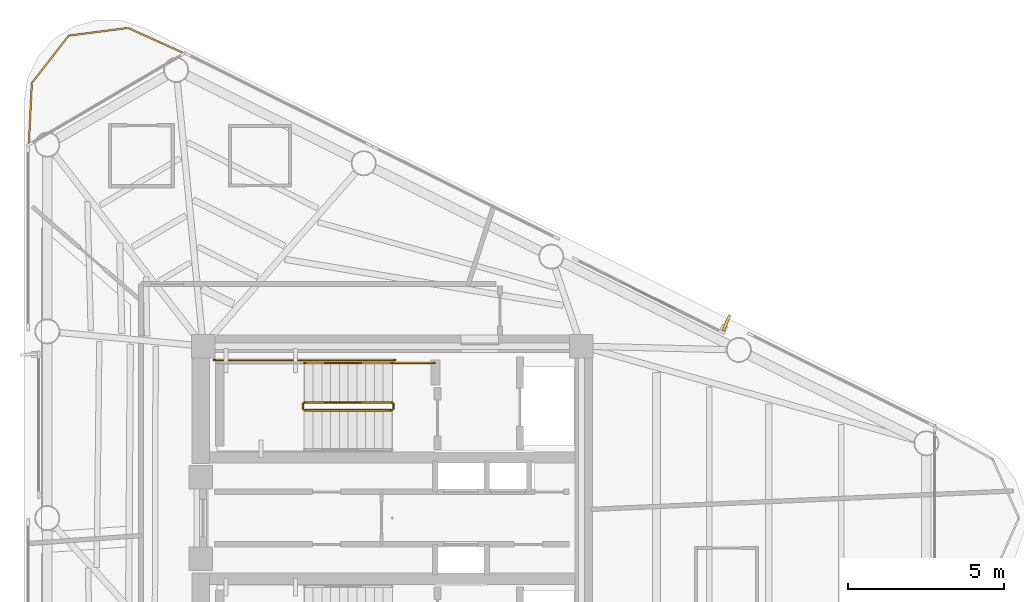
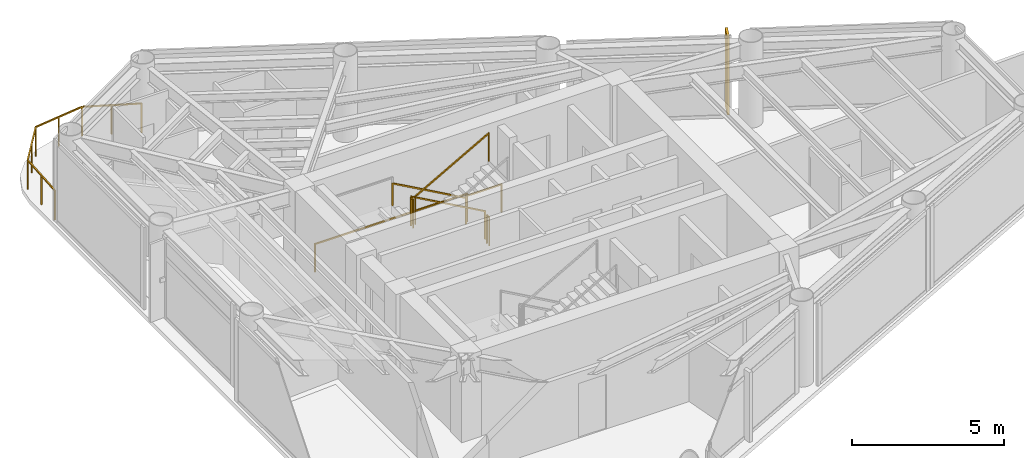
# One storey, part 10 of 10: 8 railings, 1 shading device.
"""IFC4 building model written with IfcOpenShell, lengths in metres."""

from ifc_helpers import new_model, si_unit, direction, frame, origin, origin_2d, place, context, subcontext, project, spatial, rectangle, extrude, source, transform, mapped, material, material_profile, profile_set, type_object, element, save


model = new_model("IFC4")

# Units and contexts
model_context = context("Model", 3, precision=1e-05, world=origin(), true_north=direction((0.0, 1.0)))
body_context = subcontext(model_context, "Body", "Model", "MODEL_VIEW")
ifc_project = project(units=[si_unit("LENGTHUNIT", "METRE"), si_unit("AREAUNIT", "SQUARE_METRE"), si_unit("VOLUMEUNIT", "CUBIC_METRE"), si_unit("PLANEANGLEUNIT", "RADIAN"), si_unit("MASSUNIT", "GRAM", prefix="KILO")], contexts=[model_context])

# Site, building, storey
site_placement = place(None, origin())
site = spatial("IfcSite", under=ifc_project, at=site_placement, CompositionType="ELEMENT")
building_placement = place(site_placement, origin())
building = spatial("IfcBuilding", under=site, at=building_placement, Name="Yunling Apex Tower", CompositionType="ELEMENT")
storey_placement = place(building_placement, frame((0.0, 0.0, 300.199951171875)))
storey = spatial("IfcBuildingStorey", under=building, at=storey_placement, Name="L73", CompositionType="ELEMENT", Elevation=300.199951171875)

# Railings
ifc_material_1 = material(Name="Bronze anodised aluminium", Category="aluminium")
railing_type_1 = type_object("IfcRailingType", Name="RL-BAL-1200", PredefinedType="BALUSTRADE", material=ifc_material_1)
railing_1_placement = place(storey_placement, frame((-11.627197265625, 11.9453125, 0.0)))
element("IfcRailing", 1, at=railing_1_placement, inside=storey, type_object=railing_type_1, Name="RL-CRNSILL-L73-2", PredefinedType="BALUSTRADE", context=body_context, shape_type="SweptSolid", body=[
    extrude(rectangle(XDim=0.0439453125, YDim=0.0439453125, at=origin_2d()), origin(), (0.0, 0.0, 1.0), 1.199951171875),
    extrude(rectangle(XDim=0.0439453125, YDim=0.0439453125, at=origin_2d()), frame((0.095947265625, 1.972412109375, 0.0)), (0.0, 0.0, 1.0), 1.199951171875),
    extrude(rectangle(XDim=0.050048828125, YDim=0.050048828125, at=origin_2d()), frame((0.001953125, 0.038330078125, 1.1748046875), z_axis=(0.048587182269, 0.998818945415, 0.0), x_axis=(-0.998818945415, 0.048587182269, 0.0)), (0.0, 0.0, 1.0), 1.898193359375),
    extrude(rectangle(XDim=0.0439453125, YDim=0.0439453125, at=origin_2d()), frame((0.0478515625, 0.986328125, 0.0)), (0.0, 0.0, 1.0), 1.14599609375),
    extrude(rectangle(XDim=0.0439453125, YDim=0.0439453125, at=origin_2d()), frame((1.27685546875, 3.48828125, 0.0)), (0.0, 0.0, 1.0), 1.199951171875),
    extrude(rectangle(XDim=0.050048828125, YDim=0.050048828125, at=origin_2d()), frame((0.119384765625, 2.002685546875, 1.1748046875), z_axis=(0.61455614591, 0.788873084548, 0.0), x_axis=(-0.788873084548, 0.61455614591, 0.0)), (0.0, 0.0, 1.0), 1.844970703125),
    extrude(rectangle(XDim=0.0439453125, YDim=0.0439453125, at=origin_2d()), frame((0.6865234375, 2.73046875, 0.0)), (0.0, 0.0, 1.0), 1.14599609375),
    extrude(rectangle(XDim=0.0439453125, YDim=0.0439453125, at=origin_2d()), frame((3.176513671875, 3.734375, 0.0)), (0.0, 0.0, 1.0), 1.199951171875),
    extrude(rectangle(XDim=0.050048828125, YDim=0.050048828125, at=origin_2d()), frame((1.31494140625, 3.4931640625, 1.1748046875), z_axis=(0.991713034877, 0.128472784881, 0.0), x_axis=(-0.128472784881, 0.991713034877, 0.0)), (0.0, 0.0, 1.0), 1.8388671875),
    extrude(rectangle(XDim=0.0439453125, YDim=0.0439453125, at=origin_2d()), frame((2.2265625, 3.611328125, 0.0)), (0.0, 0.0, 1.0), 1.14599609375),
    extrude(rectangle(XDim=0.0439453125, YDim=0.0439453125, at=origin_2d()), frame((4.97607421875, 2.919677734375, 0.0)), (0.0, 0.0, 1.0), 1.199951171875),
    extrude(rectangle(XDim=0.050048828125, YDim=0.050048828125, at=origin_2d()), frame((3.21142578125, 3.718505859375, 1.1748046875), z_axis=(0.910991856267, -0.412424341929, 0.0), x_axis=(0.412424341929, 0.910991856267, 0.0)), (0.0, 0.0, 1.0), 1.898681640625),
    extrude(rectangle(XDim=0.0439453125, YDim=0.0439453125, at=origin_2d()), frame((4.076171875, 3.3271484375, 0.0)), (0.0, 0.0, 1.0), 1.14599609375),
])
ifc_material_2 = material(Name="Steel Q355B", Category="steel")
railing_type_2 = type_object("IfcRailingType", Name="RL-GRD-1150", PredefinedType="GUARDRAIL", material=ifc_material_2)
railing_2_placement = place(storey_placement, frame((-0.010009765625, 3.699951171875, 0.156982421875)))
element("IfcRailing", 2, at=railing_2_placement, inside=storey, type_object=railing_type_2, Name="L73 ST-1 stair guard 1", PredefinedType="GUARDRAIL", context=body_context, shape_type="SweptSolid", body=[
    extrude(rectangle(XDim=0.0439453125, YDim=0.0439453125, at=origin_2d()), origin(), (0.0, 0.0, 1.0), 1.14990234375),
    extrude(rectangle(XDim=0.0439453125, YDim=0.0439453125, at=origin_2d()), frame((-2.800048828125, 0.0, 1.568115234375)), (0.0, 0.0, 1.0), 1.14990234375),
    extrude(rectangle(XDim=0.050048828125, YDim=0.050048828125, at=origin_2d()), frame((-0.033447265625, 0.0, 1.1435546875), z_axis=(-0.872494340497, 0.0, 0.48862421737), x_axis=(0.0, -1.0, 0.0)), (0.0, 0.0, 1.0), 3.132568359375),
])
railing_3_placement = place(storey_placement, frame((-2.860107421875, 3.64990234375, 1.72509765625)))
element("IfcRailing", 3, at=railing_3_placement, inside=storey, type_object=railing_type_2, Name="L73 ST-1 stair guard 2", PredefinedType="GUARDRAIL", context=body_context, shape_type="SweptSolid", body=[
    extrude(rectangle(XDim=0.0439453125, YDim=0.0439453125, at=origin_2d()), origin(), (0.0, 0.0, 1.0), 1.14990234375),
    extrude(rectangle(XDim=0.0439453125, YDim=0.0439453125, at=origin_2d()), frame((0.0, -0.14990234375, 0.0)), (0.0, 0.0, 1.0), 1.14990234375),
    extrude(rectangle(XDim=0.050048828125, YDim=0.050048828125, at=origin_2d()), frame((0.0, -0.038330078125, 1.125), z_axis=(0.0, -1.0, 0.0), x_axis=(1.0, 0.0, 0.0)), (0.0, 0.0, 1.0), 0.0732421875),
])
railing_4_placement = place(storey_placement, frame((-2.81005859375, 3.449951171875, 1.8818359375)))
element("IfcRailing", 4, at=railing_4_placement, inside=storey, type_object=railing_type_2, Name="L73 ST-1 stair guard 4", PredefinedType="GUARDRAIL", context=body_context, shape_type="SweptSolid", body=[
    extrude(rectangle(XDim=0.0439453125, YDim=0.0439453125, at=origin_2d()), origin(), (0.0, 0.0, 1.0), 1.14990234375),
    extrude(rectangle(XDim=0.0439453125, YDim=0.0439453125, at=origin_2d()), frame((2.800048828125, 0.0, 1.568115234375)), (0.0, 0.0, 1.0), 1.14990234375),
    extrude(rectangle(XDim=0.050048828125, YDim=0.050048828125, at=origin_2d()), frame((0.033447265625, 0.0, 1.1435546875), z_axis=(0.872494340497, 0.0, 0.48862421737), x_axis=(0.0, 1.0, 0.0)), (0.0, 0.0, 1.0), 3.132568359375),
])
railing_5_placement = place(storey_placement, frame((0.0400390625, 3.64990234375, 0.0)))
element("IfcRailing", 5, at=railing_5_placement, inside=storey, type_object=railing_type_2, Name="L73 ST-1 stair guard 5", PredefinedType="GUARDRAIL", context=body_context, shape_type="SweptSolid", body=[
    extrude(rectangle(XDim=0.0439453125, YDim=0.0439453125, at=origin_2d()), origin(), (0.0, 0.0, 1.0), 1.14990234375),
    extrude(rectangle(XDim=0.0439453125, YDim=0.0439453125, at=origin_2d()), frame((0.0, -0.14990234375, 0.0)), (0.0, 0.0, 1.0), 1.14990234375),
    extrude(rectangle(XDim=0.050048828125, YDim=0.050048828125, at=origin_2d()), frame((0.0, -0.038330078125, 1.125), z_axis=(0.0, -1.0, 0.0), x_axis=(1.0, 0.0, 0.0)), (0.0, 0.0, 1.0), 0.0732421875),
])
railing_6_placement = place(storey_placement, frame((1.35009765625, 4.9599609375, 0.0)))
element("IfcRailing", 6, at=railing_6_placement, inside=storey, type_object=railing_type_2, Name="L73 ST-1 stair guard 6", PredefinedType="GUARDRAIL", context=body_context, shape_type="SweptSolid", body=[
    extrude(rectangle(XDim=0.0439453125, YDim=0.0439453125, at=origin_2d()), origin(), (0.0, 0.0, 1.0), 1.14990234375),
    extrude(rectangle(XDim=0.0439453125, YDim=0.0439453125, at=origin_2d()), frame((-1.360107421875, 0.0, 0.0)), (0.0, 0.0, 1.0), 1.14990234375),
    extrude(rectangle(XDim=0.050048828125, YDim=0.050048828125, at=origin_2d()), frame((-0.038330078125, 0.0, 1.125), z_axis=(-1.0, 0.0, 0.0), x_axis=(0.0, -1.0, 0.0)), (0.0, 0.0, 1.0), 1.283447265625),
])
railing_7_placement = place(storey_placement, frame((0.090087890625, 5.06005859375, 0.0)))
element("IfcRailing", 7, at=railing_7_placement, inside=storey, type_object=railing_type_2, Name="L73 ST-1 stair guard 7", PredefinedType="GUARDRAIL", context=body_context, shape_type="SweptSolid", body=[
    extrude(rectangle(XDim=0.0439453125, YDim=0.0439453125, at=origin_2d()), origin(), (0.0, 0.0, 1.0), 1.14990234375),
    extrude(rectangle(XDim=0.0439453125, YDim=0.0439453125, at=origin_2d()), frame((-5.7900390625, 0.0, 0.0)), (0.0, 0.0, 1.0), 1.14990234375),
    extrude(rectangle(XDim=0.050048828125, YDim=0.050048828125, at=origin_2d()), frame((-0.038330078125, 0.0, 1.125), z_axis=(-1.0, 0.0, 0.0), x_axis=(0.0, -1.0, 0.0)), (0.0, 0.0, 1.0), 5.71337890625),
])
ifc_material_3 = material(Name="Silver anodised aluminium", Category="aluminium")
railing_type_3 = type_object("IfcRailingType", Name="RL-HND-900", PredefinedType="HANDRAIL", material=ifc_material_3)
railing_8_placement = place(storey_placement, frame((-0.010009765625, 4.9599609375, 0.156982421875)))
element("IfcRailing", 8, at=railing_8_placement, inside=storey, type_object=railing_type_3, Name="L73 ST-1 stair handrail 1", PredefinedType="HANDRAIL", context=body_context, shape_type="SweptSolid", body=[
    extrude(rectangle(XDim=0.0439453125, YDim=0.0439453125, at=origin_2d()), origin(), (0.0, 0.0, 1.0), 0.919921875),
    extrude(rectangle(XDim=0.0439453125, YDim=0.0439453125, at=origin_2d()), frame((-2.800048828125, 0.0, 1.568115234375)), (0.0, 0.0, 1.0), 0.919921875),
    extrude(rectangle(XDim=0.050048828125, YDim=0.050048828125, at=origin_2d()), frame((-0.033447265625, 0.0, 0.91357421875), z_axis=(-0.872494340497, 0.0, 0.48862421737), x_axis=(0.0, -1.0, 0.0)), (0.0, 0.0, 1.0), 3.132568359375),
])

# Shading device
ifc_material_profile = material_profile(ifc_material_1, rectangle(XDim=0.0849609375, YDim=0.550048828125, at=origin_2d()))
ifc_profile_set = profile_set([ifc_material_profile], Name="Bronze anodised aluminium")
shading_device_type = type_object("IfcShadingDeviceType", Name="FN-BRZ-3", PredefinedType="USERDEFINED", material=ifc_profile_set)
shared_shape = source(origin(), body_context, "Body", "SweptSolid", [
    extrude(rectangle(XDim=0.0849609375, YDim=0.550048828125, at=origin_2d()), origin(), (0.0, 0.0, 1.0), 3.14990234375),
])
shading_device_placement = place(storey_placement, frame((10.689208984375, 6.240234375, 0.06005859375), z_axis=(0.0, 0.0, 1.0), x_axis=(-0.922470722095, 0.386067049717, 0.0)))
element("IfcShadingDevice", 9, at=shading_device_placement, inside=storey, type_object=shading_device_type, Name="CW-L73-F2-B2-FIN-01", ObjectType="FIN", PredefinedType="USERDEFINED", context=body_context, shape_type="MappedRepresentation", body=[
    mapped(shared_shape, transform((0.0, 0.0, 0.0), scale=1.0)),
])

save(model, "model.ifc")
